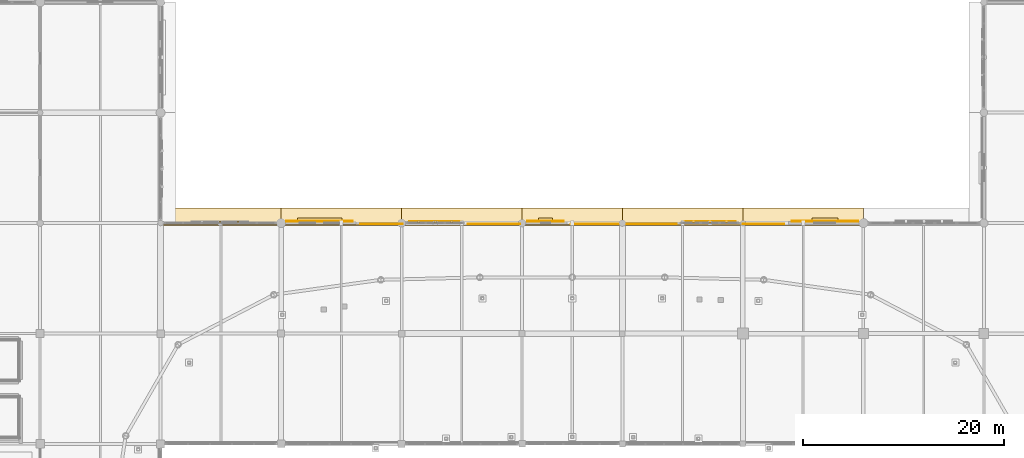
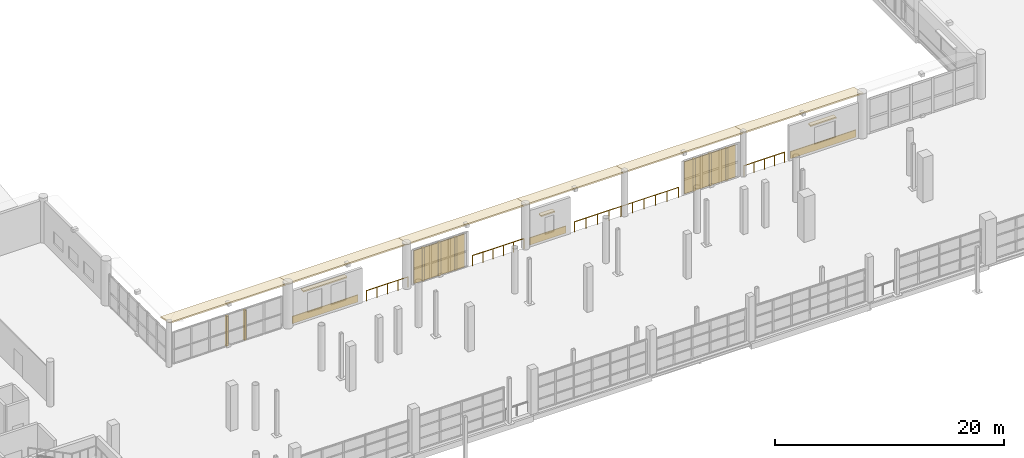
# One storey, part 129 of 143: 20 coverings, 4 railings, 2 shading devices.
"""IFC4 building model written with IfcOpenShell, lengths in metres."""

import ifcopenshell
import ifcopenshell.guid

model = None  # the IFC model being written
_history = None  # IfcOwnerHistory: only IFC2X3 demands one
_inside = {}  # id of a spatial element -> (the spatial element, [elements in it])
_under = {}  # id of a project, library or spatial element -> (it, [spatial elements below it])
_declared = {}  # id of a project -> (the project, [libraries it declares])
_typed = {}  # id of a type object -> (the type object, [elements of that type])
_made_of = {}  # id of a material, layer set ... -> (it, [elements and type objects made of it])


def new_model(schema):
    """Start an empty IFC model of exactly this schema.

    Asked for "IFC4X3", IfcOpenShell would pick the latest addendum, in which some entities
    have other attributes; the version numbers below select the first issue.
    IFC2X3 requires an IfcOwnerHistory on every rooted entity: one is made here for all.
    """
    global model, _history
    if schema == "IFC4X3":
        model = ifcopenshell.file(schema_version=(4, 3, 0, 0))
    else:
        model = ifcopenshell.file(schema=schema)
    _inside.clear()
    _under.clear()
    _declared.clear()
    _typed.clear()
    _made_of.clear()
    _history = None
    if model.schema == "IFC2X3":
        org = make("IfcOrganization", Name="unknown")
        user = make(
            "IfcPersonAndOrganization",
            ThePerson=make("IfcPerson", FamilyName="unknown"),
            TheOrganization=org,
        )
        app = make(
            "IfcApplication",
            ApplicationDeveloper=org,
            Version="unknown",
            ApplicationFullName="unknown",
            ApplicationIdentifier="unknown",
        )
        _history = make(
            "IfcOwnerHistory",
            OwningUser=user,
            OwningApplication=app,
            ChangeAction="ADDED",
            CreationDate=0,
        )
    return model


def make(cls, **values):
    """One entity of the class cls with the attributes given. An attribute that is None is left unset."""
    return model.create_entity(
        cls, **{name: value for name, value in values.items() if value is not None}
    )


def rooted(cls, **values):
    """An entity with a GlobalId (a new one), such as an element, a storey or a relation."""
    return make(cls, GlobalId=ifcopenshell.guid.new(), OwnerHistory=_history, **values)


def si_unit(unit_type, name, prefix=None):
    """IfcSIUnit, for example si_unit("LENGTHUNIT", "METRE", prefix="MILLI")."""
    return make("IfcSIUnit", UnitType=unit_type, Prefix=prefix, Name=name)


def assignment(units):
    """IfcUnitAssignment: the units of a project."""
    return None if units is None else make("IfcUnitAssignment", Units=units)


def point(xyz):
    """IfcCartesianPoint."""
    return None if xyz is None else make("IfcCartesianPoint", Coordinates=xyz)


def direction(xyz):
    """IfcDirection."""
    return None if xyz is None else make("IfcDirection", DirectionRatios=xyz)


def frame(location, z_axis=None, x_axis=None):
    """IfcAxis2Placement3D, a coordinate frame: its origin and axes. An axis left out is left unset."""
    return make(
        "IfcAxis2Placement3D",
        Location=point(location),
        Axis=direction(z_axis),
        RefDirection=direction(x_axis),
    )


def frame_2d(location, x_axis=None):
    """IfcAxis2Placement2D, a coordinate frame in the plane: its origin and x axis."""
    return make(
        "IfcAxis2Placement2D", Location=point(location), RefDirection=direction(x_axis)
    )


def origin():
    """The frame at (0, 0, 0) with its axes left unset."""
    return frame((0.0, 0.0, 0.0))


def origin_2d():
    """The frame at (0, 0) in the plane with its x axis left unset."""
    return frame_2d((0.0, 0.0))


def place(relative_to, where):
    """IfcLocalPlacement: puts the frame where relative to a parent placement (None: the world)."""
    return make(
        "IfcLocalPlacement", PlacementRelTo=relative_to, RelativePlacement=where
    )


def context(
    kind, dimensions, precision=None, world=None, true_north=None, identifier=None
):
    """IfcGeometricRepresentationContext, for example the 3D "Model" context."""
    return make(
        "IfcGeometricRepresentationContext",
        ContextIdentifier=identifier,
        ContextType=kind,
        CoordinateSpaceDimension=dimensions,
        Precision=precision,
        WorldCoordinateSystem=world,
        TrueNorth=true_north,
    )


def subcontext(parent, identifier, kind, view, scale=None):
    """IfcGeometricRepresentationSubContext, for example "Body" below "Model"."""
    return make(
        "IfcGeometricRepresentationSubContext",
        ContextIdentifier=identifier,
        ContextType=kind,
        ParentContext=parent,
        TargetScale=scale,
        TargetView=view,
    )


def project(units=None, contexts=None):
    """IfcProject with its units and contexts."""
    return rooted(
        "IfcProject",
        Name="project",
        RepresentationContexts=contexts,
        UnitsInContext=assignment(units),
    )


def spatial(cls, under=None, at=None, **own):
    """A site, building, storey or space (cls), placed at a placement, below another one or the project."""
    s = rooted(cls, ObjectPlacement=at, **own)
    if under is not None:
        _under.setdefault(under.id(), (under, []))[1].append(s)
    return s


def polyline(points):
    """IfcPolyline through the points."""
    return make("IfcPolyline", Points=[point(p) for p in points])


def profile(cls, at=None, kind="AREA", **sizes):
    """A parametric profile (cls). Its sizes go by their IFC names, for example OverallWidth=200.0."""
    return make(cls, ProfileType=kind, Position=at, **sizes)


def rectangle(**sizes):
    """IfcRectangleProfileDef."""
    return profile("IfcRectangleProfileDef", **sizes)


def circle(**sizes):
    """IfcCircleProfileDef."""
    return profile("IfcCircleProfileDef", **sizes)


def outline(outer, holes=None, kind="AREA"):
    """IfcArbitraryClosedProfileDef: a profile drawn as a closed curve; with holes, ...WithVoids."""
    if holes is None:
        return make("IfcArbitraryClosedProfileDef", ProfileType=kind, OuterCurve=outer)
    return make(
        "IfcArbitraryProfileDefWithVoids",
        ProfileType=kind,
        OuterCurve=outer,
        InnerCurves=holes,
    )


def extrude(swept, where, along, depth):
    """IfcExtrudedAreaSolid: the profile swept, set in the frame where, extruded along a direction by depth."""
    return make(
        "IfcExtrudedAreaSolid",
        SweptArea=swept,
        Position=where,
        ExtrudedDirection=direction(along),
        Depth=depth,
    )


def shape(context_of_items, identifier, shape_type, items):
    """IfcShapeRepresentation: the items that make up one representation, for example the "Body"."""
    return make(
        "IfcShapeRepresentation",
        ContextOfItems=context_of_items,
        RepresentationIdentifier=identifier,
        RepresentationType=shape_type,
        Items=items,
    )


def material(Name=None, Category=None):
    """IfcMaterial."""
    return make("IfcMaterial", Name=Name, Category=Category)


def layer(
    of_material, thickness, ventilated=None, Name=None, Category=None, Priority=None
):
    """IfcMaterialLayer: one layer of a wall or slab, of a material (None: an air gap)."""
    return make(
        "IfcMaterialLayer",
        Material=of_material,
        LayerThickness=thickness,
        IsVentilated=ventilated,
        Name=Name,
        Category=Category,
        Priority=Priority,
    )


def layer_set(layers, Name=None):
    """IfcMaterialLayerSet."""
    return make("IfcMaterialLayerSet", MaterialLayers=layers, LayerSetName=Name)


def made_of(thing, what):
    """Note that an element or type object is made of a material, layer set ...; save() writes the relation."""
    if what is not None:
        _made_of.setdefault(what.id(), (what, []))[1].append(thing)
    return thing


def type_object(cls, material=None, **own):
    """A type object (cls), such as IfcWallType, which elements share."""
    return made_of(rooted(cls, **own), material)


def element(
    cls,
    number,
    at=None,
    inside=None,
    cuts=None,
    type_object=None,
    material=None,
    context=None,
    identifier="Body",
    shape_type=None,
    held_by="IfcProductDefinitionShape",
    body=None,
    shapes=None,
    **own,
):
    """One element of the class cls, such as IfcWall. Its Tag is "e" and its number.

    at: its placement. inside: the storey or other place that contains it. cuts: it is an
    opening in that element (IfcRelVoidsElement). A single representation is given by context,
    identifier, shape_type and body (its items); several are given by shapes. held_by: the class
    of the entity that holds the representations. save() writes the other relations.
    """
    e = rooted(cls, Tag="e%d" % number, ObjectPlacement=at, **own)
    if body is not None:
        shapes = [shape(context, identifier, shape_type, body)]
    if shapes is not None:
        e.Representation = make(held_by, Representations=shapes)
    if inside is not None:
        _inside.setdefault(inside.id(), (inside, []))[1].append(e)
    if cuts is not None:
        rooted(
            "IfcRelVoidsElement", RelatingBuildingElement=cuts, RelatedOpeningElement=e
        )
    if type_object is not None:
        _typed.setdefault(type_object.id(), (type_object, []))[1].append(e)
    return made_of(e, material)


def aggregate(whole, parts):
    """IfcRelAggregates: a whole, such as a stair, and the parts it consists of."""
    return rooted("IfcRelAggregates", RelatingObject=whole, RelatedObjects=parts)


def save(model, path):
    """Write the relations noted so far, then the file.

    IfcRelAggregates (storeys below a building ...), IfcRelContainedInSpatialStructure (elements
    in a storey), IfcRelDefinesByType, IfcRelAssociatesMaterial and IfcRelDeclares: one each for
    every whole, place, type object, material and project.
    """
    for whole, parts in _under.values():
        aggregate(whole, parts)
    for where, things in _inside.values():
        rooted(
            "IfcRelContainedInSpatialStructure",
            RelatedElements=things,
            RelatingStructure=where,
        )
    for kind, things in _typed.values():
        rooted("IfcRelDefinesByType", RelatedObjects=things, RelatingType=kind)
    for what, things in _made_of.values():
        rooted("IfcRelAssociatesMaterial", RelatedObjects=things, RelatingMaterial=what)
    for by, libraries in _declared.values():
        rooted("IfcRelDeclares", RelatingContext=by, RelatedDefinitions=libraries)
    model.write(path)


model = new_model("IFC4")

# Units and contexts
model_context = context("Model", 3, precision=1e-05, world=origin(), true_north=direction((0.0, 1.0)))
body_context = subcontext(model_context, "Body", "Model", "MODEL_VIEW")
ifc_project = project(units=[si_unit("LENGTHUNIT", "METRE"), si_unit("AREAUNIT", "SQUARE_METRE"), si_unit("VOLUMEUNIT", "CUBIC_METRE"), si_unit("PLANEANGLEUNIT", "RADIAN"), si_unit("MASSUNIT", "GRAM", prefix="KILO")], contexts=[model_context])

# Site, building, storey
site_placement = place(None, origin())
site = spatial("IfcSite", under=ifc_project, at=site_placement, CompositionType="ELEMENT")
building_placement = place(site_placement, origin())
building = spatial("IfcBuilding", under=site, at=building_placement, Name="Luwafu Chhajja Arena", CompositionType="ELEMENT")
storey_placement = place(building_placement, frame((0.0, 0.0, 5.39990234375)))
storey = spatial("IfcBuildingStorey", under=building, at=storey_placement, Name="L01", CompositionType="ELEMENT", Elevation=5.39990234375)

# Coverings
ifc_material_1 = material(Name="Red laterite sandstone cladding", Category="masonry")
ifc_layer_1 = layer(ifc_material_1, 0.074951171875, Name="Red laterite sandstone cladding")
ifc_layer_set_1 = layer_set([ifc_layer_1], Name="Red laterite sandstone cladding")
covering_type = type_object("IfcCoveringType", Name="Dressed Red-Laterite Sandstone Cladding", PredefinedType="CLADDING", material=ifc_layer_set_1)
covering_1_placement = place(storey_placement, frame((58.0, 98.800048828125, 4.760009765625), z_axis=(0.0, 0.242502450825, 0.970150793096), x_axis=(1.0, 0.0, 0.0)))
element("IfcCovering", 1, at=covering_1_placement, inside=storey, type_object=covering_type, Name="L01 Continuous Sloped Sandstone Chhajja Eave 0095", PredefinedType="CLADDING", context=body_context, shape_type="SweptSolid", body=[
    extrude(outline(polyline([(0.0, 0.0), (12.0, 0.0), (12.0, 1.731619097341133), (0.0, 1.731619097341133), (0.0, 0.0)])), origin(), (0.0, 0.0, -1.0), 0.1298828125),
])
for number, where, z_axis, x_axis, name in (
    (2, (63.91259765625, 99.110107421875, 0.000244140625), (0.0, 0.0, 1.0), (1.0, 0.0, 0.0), "L01 Sandstone Jali Mullion Fin 014"),
    (3, (65.70458984375, 99.110107421875, 0.000244140625), (0.0, 0.0, 1.0), (1.0, 0.0, 0.0), "L01 Sandstone Jali Mullion Fin 014"),
):
    element("IfcCovering", number, at=place(storey_placement, frame(where, z_axis=z_axis, x_axis=x_axis)), inside=storey, type_object=covering_type, Name=name, PredefinedType="CLADDING", context=body_context, shape_type="SweptSolid", body=[
        extrude(rectangle(XDim=0.219970703125, YDim=0.239990234375, at=origin_2d()), origin(), (0.0, 0.0, 1.0), 3.18994140625),
    ])
covering_2_placement = place(storey_placement, frame((70.0, 98.800048828125, 4.760009765625), z_axis=(0.0, 0.242502450825, 0.970150793096), x_axis=(1.0, 0.0, 0.0)))
element("IfcCovering", 4, at=covering_2_placement, inside=storey, type_object=covering_type, Name="L01 Continuous Sloped Sandstone Chhajja Eave 0096", PredefinedType="CLADDING", context=body_context, shape_type="SweptSolid", body=[
    extrude(outline(polyline([(0.0, 0.0), (12.0, 0.0), (12.0, 1.731619097341133), (0.0, 1.731619097341133), (0.0, 0.0)])), origin(), (0.0, 0.0, -1.0), 0.1298828125),
])
covering_3_placement = place(storey_placement, frame((73.8388671875, 99.172119140625, 0.0), z_axis=(0.0, 0.0, 1.0), x_axis=(1.0, 0.0, 0.0)))
element("IfcCovering", 5, at=covering_3_placement, inside=storey, type_object=covering_type, Name="L01 Red-Laterite Sandstone Plinth Cladding 024", PredefinedType="CLADDING", context=body_context, shape_type="SweptSolid", body=[
    extrude(rectangle(XDim=6.637451171875, YDim=0.0849609375, at=origin_2d()), origin(), (0.0, 0.0, 1.0), 0.760009765625),
])
covering_4_placement = place(storey_placement, frame((73.8388671875, 99.300048828125, 2.97998046875), z_axis=(0.0, 0.0, 1.0), x_axis=(1.0, 0.0, 0.0)))
element("IfcCovering", 6, at=covering_4_placement, inside=storey, type_object=covering_type, Name="L01 Mughal Sandstone Window Chhajja Hood 0023", PredefinedType="CLADDING", context=body_context, shape_type="SweptSolid", body=[
    extrude(rectangle(XDim=4.41259765625, YDim=0.419921875, at=origin_2d()), origin(), (0.0, 0.0, 1.0), 0.139892578125),
])
covering_5_placement = place(storey_placement, frame((82.0, 98.800048828125, 4.760009765625), z_axis=(0.0, 0.242502450825, 0.970150793096), x_axis=(1.0, 0.0, 0.0)))
element("IfcCovering", 7, at=covering_5_placement, inside=storey, type_object=covering_type, Name="L01 Continuous Sloped Sandstone Chhajja Eave 0097", PredefinedType="CLADDING", context=body_context, shape_type="SweptSolid", body=[
    extrude(outline(polyline([(0.0, 0.0), (12.0, 0.0), (12.0, 1.731619097341133), (0.0, 1.731619097341133), (0.0, 0.0)])), origin(), (0.0, 0.0, -1.0), 0.1298828125),
])
for number, where, z_axis, x_axis, name in (
    (8, (83.70458984375, 99.1298828125, 0.0), (0.0, 0.0, 1.0), (1.0, 0.0, 0.0), "L01 Sandstone Jali Mullion Fin 015"),
    (9, (85.3486328125, 99.1298828125, 0.0), (0.0, 0.0, 1.0), (1.0, 0.0, 0.0), "L01 Sandstone Jali Mullion Fin 015"),
    (10, (86.992431640625, 99.1298828125, 0.0), (0.0, 0.0, 1.0), (1.0, 0.0, 0.0), "L01 Sandstone Jali Mullion Fin 015"),
):
    element("IfcCovering", number, at=place(storey_placement, frame(where, z_axis=z_axis, x_axis=x_axis)), inside=storey, type_object=covering_type, Name=name, PredefinedType="CLADDING", context=body_context, shape_type="SweptSolid", body=[
        extrude(rectangle(XDim=0.219970703125, YDim=0.239990234375, at=origin_2d()), origin(), (0.0, 0.0, 1.0), 3.519775390625),
    ])
covering_6_placement = place(storey_placement, frame((94.0, 98.800048828125, 4.760009765625), z_axis=(0.0, 0.242502450825, 0.970150793096), x_axis=(1.0, 0.0, 0.0)))
element("IfcCovering", 11, at=covering_6_placement, inside=storey, type_object=covering_type, Name="L01 Continuous Sloped Sandstone Chhajja Eave 0098", PredefinedType="CLADDING", context=body_context, shape_type="SweptSolid", body=[
    extrude(outline(polyline([(0.0, 0.0), (10.0, 0.0), (10.0, 1.731619097341133), (0.0, 1.731619097341133), (0.0, 0.0)])), origin(), (0.0, 0.0, -1.0), 0.1298828125),
])
covering_7_placement = place(storey_placement, frame((96.339111328125, 99.172119140625, 0.0), z_axis=(0.0, 0.0, 1.0), x_axis=(1.0, 0.0, 0.0)))
element("IfcCovering", 12, at=covering_7_placement, inside=storey, type_object=covering_type, Name="L01 Red-Laterite Sandstone Plinth Cladding 025", PredefinedType="CLADDING", context=body_context, shape_type="SweptSolid", body=[
    extrude(rectangle(XDim=3.63818359375, YDim=0.0849609375, at=origin_2d()), origin(), (0.0, 0.0, 1.0), 0.760009765625),
])
covering_8_placement = place(storey_placement, frame((96.339111328125, 99.300048828125, 2.63037109375), z_axis=(0.0, 0.0, 1.0), x_axis=(1.0, 0.0, 0.0)))
element("IfcCovering", 13, at=covering_8_placement, inside=storey, type_object=covering_type, Name="L01 Mughal Sandstone Window Chhajja Hood 0024", PredefinedType="CLADDING", context=body_context, shape_type="SweptSolid", body=[
    extrude(rectangle(XDim=1.39990234375, YDim=0.419921875, at=origin_2d()), origin(), (0.0, 0.0, 1.0), 0.139892578125),
])
covering_9_placement = place(storey_placement, frame((104.0, 98.800048828125, 4.760009765625), z_axis=(0.0, 0.242502450825, 0.970150793096), x_axis=(1.0, 0.0, 0.0)))
element("IfcCovering", 14, at=covering_9_placement, inside=storey, type_object=covering_type, Name="L01 Continuous Sloped Sandstone Chhajja Eave 0099", PredefinedType="CLADDING", context=body_context, shape_type="SweptSolid", body=[
    extrude(outline(polyline([(0.0, 0.0), (12.0, 0.0), (12.0, 1.731619097341133), (0.0, 1.731619097341133), (0.0, 0.0)])), origin(), (0.0, 0.0, -1.0), 0.1298828125),
])
for number, where, z_axis, x_axis, name in (
    (15, (111.070068359375, 99.14990234375, 0.000244140625), (0.0, 0.0, 1.0), (1.0, 0.0, 0.0), "L01 Sandstone Jali Mullion Fin 016"),
    (16, (112.7138671875, 99.14990234375, 0.000244140625), (0.0, 0.0, 1.0), (1.0, 0.0, 0.0), "L01 Sandstone Jali Mullion Fin 016"),
    (17, (114.35791015625, 99.14990234375, 0.000244140625), (0.0, 0.0, 1.0), (1.0, 0.0, 0.0), "L01 Sandstone Jali Mullion Fin 016"),
):
    element("IfcCovering", number, at=place(storey_placement, frame(where, z_axis=z_axis, x_axis=x_axis)), inside=storey, type_object=covering_type, Name=name, PredefinedType="CLADDING", context=body_context, shape_type="SweptSolid", body=[
        extrude(rectangle(XDim=0.219970703125, YDim=0.239990234375, at=origin_2d()), origin(), (0.0, 0.0, 1.0), 3.43994140625),
    ])
covering_10_placement = place(storey_placement, frame((116.0, 98.800048828125, 4.760009765625), z_axis=(0.0, 0.242502450825, 0.970150793096), x_axis=(1.0, 0.0, 0.0)))
element("IfcCovering", 18, at=covering_10_placement, inside=storey, type_object=covering_type, Name="L01 Continuous Sloped Sandstone Chhajja Eave 0100", PredefinedType="CLADDING", context=body_context, shape_type="SweptSolid", body=[
    extrude(outline(polyline([(0.0, 0.0), (12.0, 0.0), (12.0, 1.731619097341133), (0.0, 1.731619097341133), (0.0, 0.0)])), origin(), (0.0, 0.0, -1.0), 0.1298828125),
])
covering_11_placement = place(storey_placement, frame((124.1611328125, 99.172119140625, 0.0), z_axis=(0.0, 0.0, 1.0), x_axis=(1.0, 0.0, 0.0)))
element("IfcCovering", 19, at=covering_11_placement, inside=storey, type_object=covering_type, Name="L01 Red-Laterite Sandstone Plinth Cladding 026", PredefinedType="CLADDING", context=body_context, shape_type="SweptSolid", body=[
    extrude(rectangle(XDim=6.637451171875, YDim=0.0849609375, at=origin_2d()), origin(), (0.0, 0.0, 1.0), 0.760009765625),
])
covering_12_placement = place(storey_placement, frame((124.1611328125, 99.300048828125, 2.72998046875), z_axis=(0.0, 0.0, 1.0), x_axis=(1.0, 0.0, 0.0)))
element("IfcCovering", 20, at=covering_12_placement, inside=storey, type_object=covering_type, Name="L01 Mughal Sandstone Window Chhajja Hood 0025", PredefinedType="CLADDING", context=body_context, shape_type="SweptSolid", body=[
    extrude(rectangle(XDim=2.60009765625, YDim=0.419921875, at=origin_2d()), origin(), (0.0, 0.0, 1.0), 0.139892578125),
])

# Shading devices
ifc_material_2 = material(Name="Pierced buff sandstone jali", Category="masonry")
ifc_layer_2 = layer(ifc_material_2, 0.080078125, Name="Pierced buff sandstone jali")
ifc_layer_set_2 = layer_set([ifc_layer_2], Name="Pierced buff sandstone jali")
shading_device_type = type_object("IfcShadingDeviceType", Name="Pierced Buff-Sandstone Jali Screen", PredefinedType="JALOUSIE", material=ifc_layer_set_2)
shading_device_1_placement = place(storey_placement, frame((85.3486328125, 99.1298828125, 0.0), z_axis=(0.0, 0.0, 1.0), x_axis=(1.0, 0.0, 0.0)))
element("IfcShadingDevice", 21, at=shading_device_1_placement, inside=storey, type_object=shading_device_type, Name="L01 Pierced Buff-Sandstone Jali Screen 015", PredefinedType="JALOUSIE", context=body_context, shape_type="SweptSolid", body=[
    extrude(rectangle(XDim=5.13720703125, YDim=0.080078125, at=origin_2d()), origin(), (0.0, 0.0, 1.0), 3.519775390625),
])
shading_device_2_placement = place(storey_placement, frame((112.7138671875, 99.14990234375, 0.000244140625), z_axis=(0.0, 0.0, 1.0), x_axis=(1.0, 0.0, 0.0)))
element("IfcShadingDevice", 22, at=shading_device_2_placement, inside=storey, type_object=shading_device_type, Name="L01 Pierced Buff-Sandstone Jali Screen 016", PredefinedType="JALOUSIE", context=body_context, shape_type="SweptSolid", body=[
    extrude(rectangle(XDim=5.13720703125, YDim=0.080078125, at=origin_2d()), origin(), (0.0, 0.0, 1.0), 3.43994140625),
])

# Railings
ifc_material_3 = material(Name="Stainless steel balustrade", Category="steel")
railing_type = type_object("IfcRailingType", Name="Stair and Terrace Guard Balustrade 1100", PredefinedType="BALUSTRADE", material=ifc_material_3)
railing_1_placement = place(storey_placement, frame((77.89599609375, 98.89990234375, 0.0)))
element("IfcRailing", 23, at=railing_1_placement, inside=storey, type_object=railing_type, Name="L01 Outer Slab Edge Guard 001", PredefinedType="BALUSTRADE", context=body_context, shape_type="SweptSolid", body=[
    extrude(circle(Radius=0.02392578125, at=origin_2d()), frame((0.0, 0.0, 1.09619140625), z_axis=(1.0, 0.0, 0.0), x_axis=(0.0, 1.0, 0.0)), (0.0, 0.0, 1.0), 4.2060546875),
    extrude(circle(Radius=0.02099609375, at=origin_2d()), origin(), (0.0, 0.0, 1.0), 1.072021484375),
    extrude(circle(Radius=0.02099609375, at=origin_2d()), frame((1.051513671875, 0.0, 0.0)), (0.0, 0.0, 1.0), 1.072021484375),
    extrude(circle(Radius=0.02099609375, at=origin_2d()), frame((2.10302734375, 0.0, 0.0)), (0.0, 0.0, 1.0), 1.072021484375),
    extrude(circle(Radius=0.02099609375, at=origin_2d()), frame((3.154541015625, 0.0, 0.0)), (0.0, 0.0, 1.0), 1.072021484375),
    extrude(circle(Radius=0.02099609375, at=origin_2d()), frame((4.2060546875, 0.0, 0.0)), (0.0, 0.0, 1.0), 1.072021484375),
])
railing_2_placement = place(storey_placement, frame((88.594970703125, 98.89990234375, 0.0)))
element("IfcRailing", 24, at=railing_2_placement, inside=storey, type_object=railing_type, Name="L01 Outer Slab Edge Guard 002", PredefinedType="BALUSTRADE", context=body_context, shape_type="SweptSolid", body=[
    extrude(circle(Radius=0.02392578125, at=origin_2d()), frame((0.0, 0.0, 1.09619140625), z_axis=(1.0, 0.0, 0.0), x_axis=(0.0, 1.0, 0.0)), (0.0, 0.0, 1.0), 5.18701171875),
    extrude(circle(Radius=0.02099609375, at=origin_2d()), origin(), (0.0, 0.0, 1.0), 1.072021484375),
    extrude(circle(Radius=0.02099609375, at=origin_2d()), frame((1.037353515625, 0.0, 0.0)), (0.0, 0.0, 1.0), 1.072021484375),
    extrude(circle(Radius=0.02099609375, at=origin_2d()), frame((2.07470703125, 0.0, 0.0)), (0.0, 0.0, 1.0), 1.072021484375),
    extrude(circle(Radius=0.02099609375, at=origin_2d()), frame((3.1123046875, 0.0, 0.0)), (0.0, 0.0, 1.0), 1.072021484375),
    extrude(circle(Radius=0.02099609375, at=origin_2d()), frame((4.149658203125, 0.0, 0.0)), (0.0, 0.0, 1.0), 1.072021484375),
    extrude(circle(Radius=0.02099609375, at=origin_2d()), frame((5.18701171875, 0.0, 0.0)), (0.0, 0.0, 1.0), 1.072021484375),
])
railing_3_placement = place(storey_placement, frame((98.89599609375, 98.89990234375, 0.0)))
element("IfcRailing", 25, at=railing_3_placement, inside=storey, type_object=railing_type, Name="L01 Outer Slab Edge Guard 003", PredefinedType="BALUSTRADE", context=body_context, shape_type="SweptSolid", body=[
    extrude(circle(Radius=0.02392578125, at=origin_2d()), frame((0.0, 0.0, 1.09619140625), z_axis=(1.0, 0.0, 0.0), x_axis=(0.0, 1.0, 0.0)), (0.0, 0.0, 1.0), 10.509033203125),
    extrude(circle(Radius=0.02099609375, at=origin_2d()), origin(), (0.0, 0.0, 1.0), 1.072021484375),
    extrude(circle(Radius=0.02099609375, at=origin_2d()), frame((1.167724609375, 0.0, 0.0)), (0.0, 0.0, 1.0), 1.072021484375),
    extrude(circle(Radius=0.02099609375, at=origin_2d()), frame((2.33544921875, 0.0, 0.0)), (0.0, 0.0, 1.0), 1.072021484375),
    extrude(circle(Radius=0.02099609375, at=origin_2d()), frame((3.5029296875, 0.0, 0.0)), (0.0, 0.0, 1.0), 1.072021484375),
    extrude(circle(Radius=0.02099609375, at=origin_2d()), frame((4.670654296875, 0.0, 0.0)), (0.0, 0.0, 1.0), 1.072021484375),
    extrude(circle(Radius=0.02099609375, at=origin_2d()), frame((5.83837890625, 0.0, 0.0)), (0.0, 0.0, 1.0), 1.072021484375),
    extrude(circle(Radius=0.02099609375, at=origin_2d()), frame((7.006103515625, 0.0, 0.0)), (0.0, 0.0, 1.0), 1.072021484375),
    extrude(circle(Radius=0.02099609375, at=origin_2d()), frame((8.173583984375, 0.0, 0.0)), (0.0, 0.0, 1.0), 1.072021484375),
    extrude(circle(Radius=0.02099609375, at=origin_2d()), frame((9.34130859375, 0.0, 0.0)), (0.0, 0.0, 1.0), 1.072021484375),
    extrude(circle(Radius=0.02099609375, at=origin_2d()), frame((10.509033203125, 0.0, 0.0)), (0.0, 0.0, 1.0), 1.072021484375),
])
railing_4_placement = place(storey_placement, frame((116.02294921875, 98.89990234375, 0.0)))
element("IfcRailing", 26, at=railing_4_placement, inside=storey, type_object=railing_type, Name="L01 Outer Slab Edge Guard 004", PredefinedType="BALUSTRADE", context=body_context, shape_type="SweptSolid", body=[
    extrude(circle(Radius=0.02392578125, at=origin_2d()), frame((0.0, 0.0, 1.09619140625), z_axis=(1.0, 0.0, 0.0), x_axis=(0.0, 1.0, 0.0)), (0.0, 0.0, 1.0), 4.0810546875),
    extrude(circle(Radius=0.02099609375, at=origin_2d()), origin(), (0.0, 0.0, 1.0), 1.072021484375),
    extrude(circle(Radius=0.02099609375, at=origin_2d()), frame((1.020263671875, 0.0, 0.0)), (0.0, 0.0, 1.0), 1.072021484375),
    extrude(circle(Radius=0.02099609375, at=origin_2d()), frame((2.04052734375, 0.0, 0.0)), (0.0, 0.0, 1.0), 1.072021484375),
    extrude(circle(Radius=0.02099609375, at=origin_2d()), frame((3.060791015625, 0.0, 0.0)), (0.0, 0.0, 1.0), 1.072021484375),
    extrude(circle(Radius=0.02099609375, at=origin_2d()), frame((4.0810546875, 0.0, 0.0)), (0.0, 0.0, 1.0), 1.072021484375),
])

save(model, "model.ifc")
